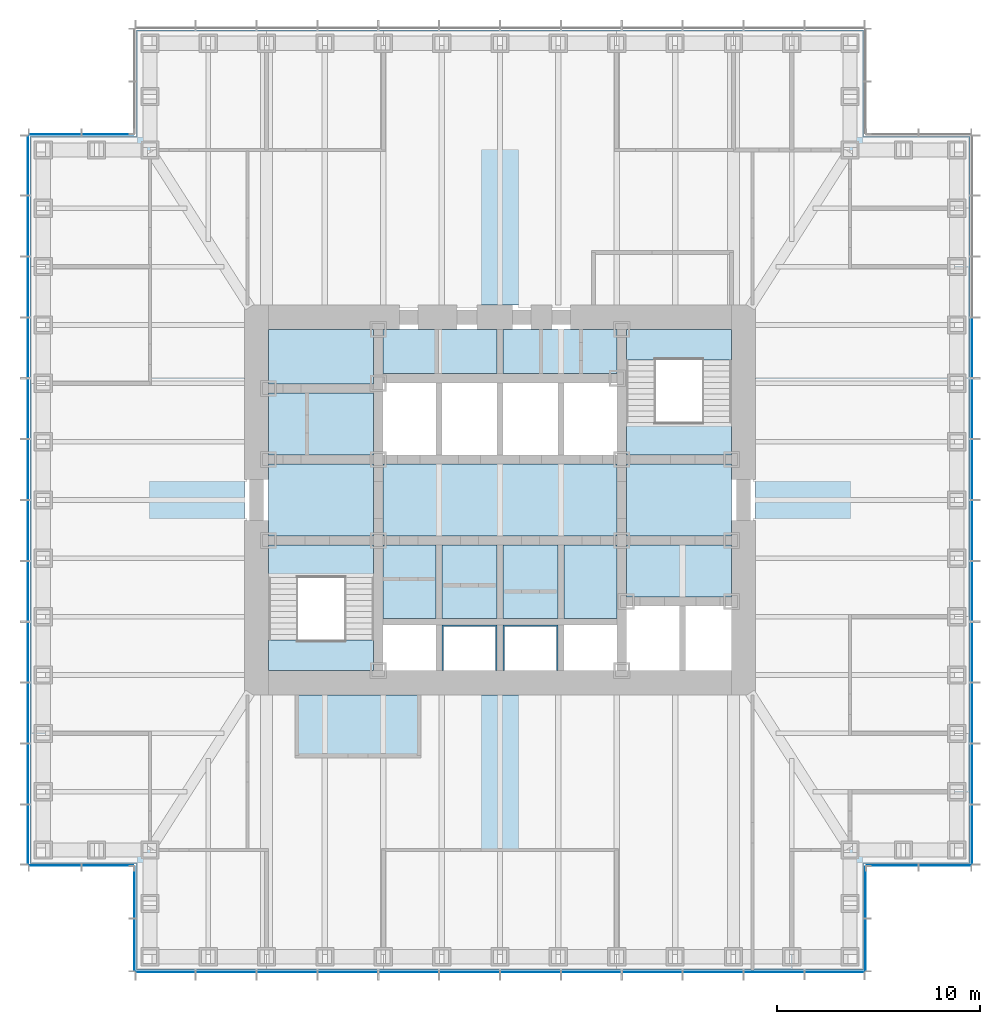
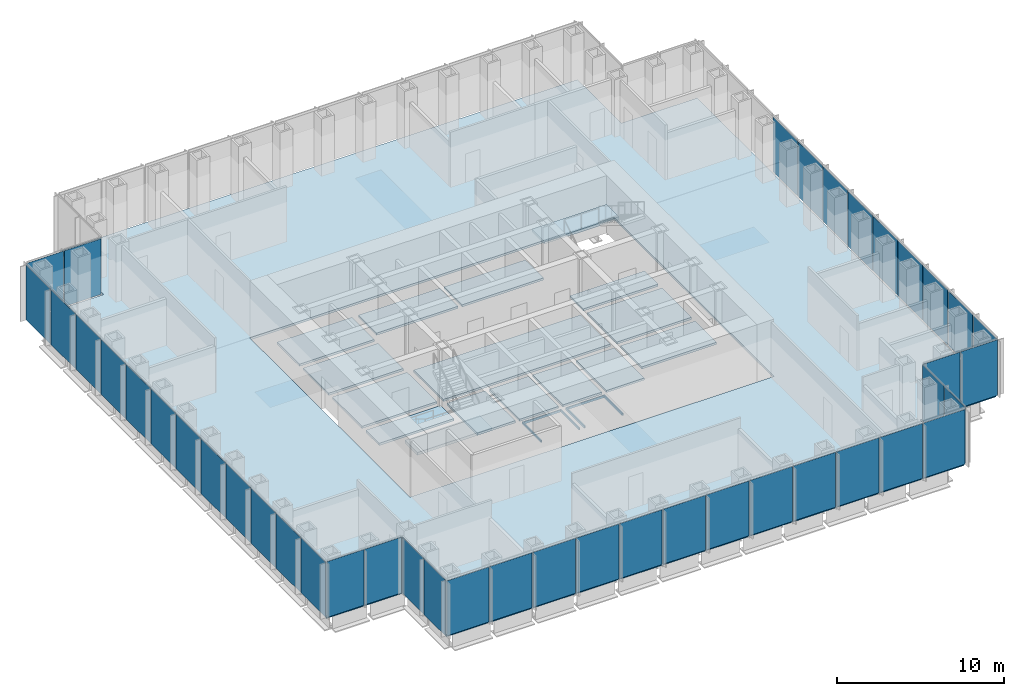
# One storey, part 7 of 17: 43 plates, 19 slabs, 10 elements without a shape of their own.
"""IFC4 building model written with IfcOpenShell, lengths in metres."""

from ifc_helpers import new_model, si_unit, direction, frame, origin, origin_2d, place, context, subcontext, project, spatial, polyline, rectangle, outline, extrude, material, layer, layer_set, type_object, element, aggregate, save


model = new_model("IFC4")

# Units and contexts
model_context = context("Model", 3, precision=1e-05, world=origin(), true_north=direction((0.0, 1.0)))
body_context = subcontext(model_context, "Body", "Model", "MODEL_VIEW")
ifc_project = project(units=[si_unit("LENGTHUNIT", "METRE"), si_unit("AREAUNIT", "SQUARE_METRE"), si_unit("VOLUMEUNIT", "CUBIC_METRE"), si_unit("PLANEANGLEUNIT", "RADIAN"), si_unit("MASSUNIT", "GRAM", prefix="KILO")], contexts=[model_context])

# Site, building, storey
site_placement = place(None, origin())
site = spatial("IfcSite", under=ifc_project, at=site_placement, CompositionType="ELEMENT")
building_placement = place(site_placement, origin())
building = spatial("IfcBuilding", under=site, at=building_placement, Name="Daluyong Arena Tower", CompositionType="ELEMENT")
storey_placement = place(building_placement, frame((0.0, 0.0, 150.10009765625)))
storey = spatial("IfcBuildingStorey", under=building, at=storey_placement, Name="L33", CompositionType="ELEMENT", Elevation=150.10009765625)

# Curtain wall, plates
ifc_material_1 = material(Name="Bronze anodised aluminium and glass", Category="aluminium")
curtain_wall_type_1 = type_object("IfcCurtainWallType", Name="Curtain wall CW2", PredefinedType="USERDEFINED", material=ifc_material_1)
curtain_wall_1_placement = place(storey_placement, origin())
curtain_wall_1 = element("IfcCurtainWall", 1, at=curtain_wall_1_placement, inside=storey, type_object=curtain_wall_type_1, Name="curtain wall L33 S", ObjectType="UNITISED CURTAIN WALL", PredefinedType="USERDEFINED")
ifc_material_2 = material(Name="Tinted double glazed unit", Category="glass")
ifc_layer_1 = layer(ifc_material_2, 0.031982421875)
ifc_layer_set_1 = layer_set([ifc_layer_1], Name="Tinted double glazed unit")
plate_type_1 = type_object("IfcPlateType", Name="CW2 panel 32", PredefinedType="CURTAIN_PANEL", material=ifc_layer_set_1)
plate_1_placement = place(storey_placement, frame((39.52001953125, 56.75, 0.0), z_axis=(0.0, 0.0, 1.0), x_axis=(1.0, 0.0, 0.0)))
plate_1 = element("IfcPlate", 2, at=plate_1_placement, type_object=plate_type_1, Name="curtain wall L33 S panel 1", PredefinedType="CURTAIN_PANEL", context=body_context, shape_type="SweptSolid", body=[
    extrude(rectangle(XDim=2.8798828125, YDim=0.031982421875, at=origin_2d()), origin(), (0.0, 0.0, 1.0), 4.02001953125),
])
plate_2_placement = place(storey_placement, frame((42.5, 56.75, 0.0), z_axis=(0.0, 0.0, 1.0), x_axis=(1.0, 0.0, 0.0)))
plate_2 = element("IfcPlate", 3, at=plate_2_placement, type_object=plate_type_1, Name="curtain wall L33 S panel 2", PredefinedType="CURTAIN_PANEL", context=body_context, shape_type="SweptSolid", body=[
    extrude(rectangle(XDim=2.919921875, YDim=0.031982421875, at=origin_2d()), origin(), (0.0, 0.0, 1.0), 4.02001953125),
])
plate_3_placement = place(storey_placement, frame((45.5, 56.75, 0.0), z_axis=(0.0, 0.0, 1.0), x_axis=(1.0, 0.0, 0.0)))
plate_3 = element("IfcPlate", 4, at=plate_3_placement, type_object=plate_type_1, Name="curtain wall L33 S panel 3", PredefinedType="CURTAIN_PANEL", context=body_context, shape_type="SweptSolid", body=[
    extrude(rectangle(XDim=2.919921875, YDim=0.031982421875, at=origin_2d()), origin(), (0.0, 0.0, 1.0), 4.02001953125),
])
plate_4_placement = place(storey_placement, frame((48.5, 56.75, 0.0), z_axis=(0.0, 0.0, 1.0), x_axis=(1.0, 0.0, 0.0)))
plate_4 = element("IfcPlate", 5, at=plate_4_placement, type_object=plate_type_1, Name="curtain wall L33 S panel 4", PredefinedType="CURTAIN_PANEL", context=body_context, shape_type="SweptSolid", body=[
    extrude(rectangle(XDim=2.919921875, YDim=0.031982421875, at=origin_2d()), origin(), (0.0, 0.0, 1.0), 4.02001953125),
])
plate_5_placement = place(storey_placement, frame((51.5, 56.75, 0.0), z_axis=(0.0, 0.0, 1.0), x_axis=(1.0, 0.0, 0.0)))
plate_5 = element("IfcPlate", 6, at=plate_5_placement, type_object=plate_type_1, Name="curtain wall L33 S panel 5", PredefinedType="CURTAIN_PANEL", context=body_context, shape_type="SweptSolid", body=[
    extrude(rectangle(XDim=2.919921875, YDim=0.031982421875, at=origin_2d()), origin(), (0.0, 0.0, 1.0), 4.02001953125),
])
plate_6_placement = place(storey_placement, frame((54.5, 56.75, 0.0), z_axis=(0.0, 0.0, 1.0), x_axis=(1.0, 0.0, 0.0)))
plate_6 = element("IfcPlate", 7, at=plate_6_placement, type_object=plate_type_1, Name="curtain wall L33 S panel 6", PredefinedType="CURTAIN_PANEL", context=body_context, shape_type="SweptSolid", body=[
    extrude(rectangle(XDim=2.919921875, YDim=0.031982421875, at=origin_2d()), origin(), (0.0, 0.0, 1.0), 4.02001953125),
])
plate_7_placement = place(storey_placement, frame((57.5, 56.75, 0.0), z_axis=(0.0, 0.0, 1.0), x_axis=(1.0, 0.0, 0.0)))
plate_7 = element("IfcPlate", 8, at=plate_7_placement, type_object=plate_type_1, Name="curtain wall L33 S panel 7", PredefinedType="CURTAIN_PANEL", context=body_context, shape_type="SweptSolid", body=[
    extrude(rectangle(XDim=2.919921875, YDim=0.031982421875, at=origin_2d()), origin(), (0.0, 0.0, 1.0), 4.02001953125),
])
plate_8_placement = place(storey_placement, frame((60.5, 56.75, 0.0), z_axis=(0.0, 0.0, 1.0), x_axis=(1.0, 0.0, 0.0)))
plate_8 = element("IfcPlate", 9, at=plate_8_placement, type_object=plate_type_1, Name="curtain wall L33 S panel 8", PredefinedType="CURTAIN_PANEL", context=body_context, shape_type="SweptSolid", body=[
    extrude(rectangle(XDim=2.919921875, YDim=0.031982421875, at=origin_2d()), origin(), (0.0, 0.0, 1.0), 4.02001953125),
])
plate_9_placement = place(storey_placement, frame((63.5, 56.75, 0.0), z_axis=(0.0, 0.0, 1.0), x_axis=(1.0, 0.0, 0.0)))
plate_9 = element("IfcPlate", 10, at=plate_9_placement, type_object=plate_type_1, Name="curtain wall L33 S panel 9", PredefinedType="CURTAIN_PANEL", context=body_context, shape_type="SweptSolid", body=[
    extrude(rectangle(XDim=2.919921875, YDim=0.031982421875, at=origin_2d()), origin(), (0.0, 0.0, 1.0), 4.02001953125),
])
plate_10_placement = place(storey_placement, frame((66.5, 56.75, 0.0), z_axis=(0.0, 0.0, 1.0), x_axis=(1.0, 0.0, 0.0)))
plate_10 = element("IfcPlate", 11, at=plate_10_placement, type_object=plate_type_1, Name="curtain wall L33 S panel 10", PredefinedType="CURTAIN_PANEL", context=body_context, shape_type="SweptSolid", body=[
    extrude(rectangle(XDim=2.919921875, YDim=0.031982421875, at=origin_2d()), origin(), (0.0, 0.0, 1.0), 4.02001953125),
])
plate_11_placement = place(storey_placement, frame((69.5, 56.75, 0.0), z_axis=(0.0, 0.0, 1.0), x_axis=(1.0, 0.0, 0.0)))
plate_11 = element("IfcPlate", 12, at=plate_11_placement, type_object=plate_type_1, Name="curtain wall L33 S panel 11", PredefinedType="CURTAIN_PANEL", context=body_context, shape_type="SweptSolid", body=[
    extrude(rectangle(XDim=2.919921875, YDim=0.031982421875, at=origin_2d()), origin(), (0.0, 0.0, 1.0), 4.02001953125),
])
plate_12_placement = place(storey_placement, frame((72.47998046875, 56.75, 0.0), z_axis=(0.0, 0.0, 1.0), x_axis=(1.0, 0.0, 0.0)))
plate_12 = element("IfcPlate", 13, at=plate_12_placement, type_object=plate_type_1, Name="curtain wall L33 S panel 12", PredefinedType="CURTAIN_PANEL", context=body_context, shape_type="SweptSolid", body=[
    extrude(rectangle(XDim=2.8798828125, YDim=0.031982421875, at=origin_2d()), origin(), (0.0, 0.0, 1.0), 4.02001953125),
])
aggregate(curtain_wall_1, [plate_1, plate_2, plate_3, plate_4, plate_5, plate_6, plate_7, plate_8, plate_9, plate_10, plate_11, plate_12])

curtain_wall_2_placement = place(storey_placement, origin())
curtain_wall_2 = element("IfcCurtainWall", 14, at=curtain_wall_2_placement, inside=storey, type_object=curtain_wall_type_1, Name="curtain wall L33 E", ObjectType="UNITISED CURTAIN WALL", PredefinedType="USERDEFINED")
plate_13_placement = place(storey_placement, frame((79.25, 63.52001953125, 0.0), z_axis=(0.0, 0.0, 1.0), x_axis=(0.0, 1.0, 0.0)))
plate_13 = element("IfcPlate", 15, at=plate_13_placement, type_object=plate_type_1, Name="curtain wall L33 E panel 1", PredefinedType="CURTAIN_PANEL", context=body_context, shape_type="SweptSolid", body=[
    extrude(rectangle(XDim=2.8798828125, YDim=0.031982421875, at=origin_2d()), origin(), (0.0, 0.0, 1.0), 4.02001953125),
])
plate_14_placement = place(storey_placement, frame((79.25, 66.5, 0.0), z_axis=(0.0, 0.0, 1.0), x_axis=(0.0, 1.0, 0.0)))
plate_14 = element("IfcPlate", 16, at=plate_14_placement, type_object=plate_type_1, Name="curtain wall L33 E panel 2", PredefinedType="CURTAIN_PANEL", context=body_context, shape_type="SweptSolid", body=[
    extrude(rectangle(XDim=2.919921875, YDim=0.031982421875, at=origin_2d()), origin(), (0.0, 0.0, 1.0), 4.02001953125),
])
plate_15_placement = place(storey_placement, frame((79.25, 69.5, 0.0), z_axis=(0.0, 0.0, 1.0), x_axis=(0.0, 1.0, 0.0)))
plate_15 = element("IfcPlate", 17, at=plate_15_placement, type_object=plate_type_1, Name="curtain wall L33 E panel 3", PredefinedType="CURTAIN_PANEL", context=body_context, shape_type="SweptSolid", body=[
    extrude(rectangle(XDim=2.919921875, YDim=0.031982421875, at=origin_2d()), origin(), (0.0, 0.0, 1.0), 4.02001953125),
])
plate_16_placement = place(storey_placement, frame((79.25, 72.5, 0.0), z_axis=(0.0, 0.0, 1.0), x_axis=(0.0, 1.0, 0.0)))
plate_16 = element("IfcPlate", 18, at=plate_16_placement, type_object=plate_type_1, Name="curtain wall L33 E panel 4", PredefinedType="CURTAIN_PANEL", context=body_context, shape_type="SweptSolid", body=[
    extrude(rectangle(XDim=2.919921875, YDim=0.031982421875, at=origin_2d()), origin(), (0.0, 0.0, 1.0), 4.02001953125),
])
plate_17_placement = place(storey_placement, frame((79.25, 75.5, 0.0), z_axis=(0.0, 0.0, 1.0), x_axis=(0.0, 1.0, 0.0)))
plate_17 = element("IfcPlate", 19, at=plate_17_placement, type_object=plate_type_1, Name="curtain wall L33 E panel 5", PredefinedType="CURTAIN_PANEL", context=body_context, shape_type="SweptSolid", body=[
    extrude(rectangle(XDim=2.919921875, YDim=0.031982421875, at=origin_2d()), origin(), (0.0, 0.0, 1.0), 4.02001953125),
])
plate_18_placement = place(storey_placement, frame((79.25, 78.5, 0.0), z_axis=(0.0, 0.0, 1.0), x_axis=(0.0, 1.0, 0.0)))
plate_18 = element("IfcPlate", 20, at=plate_18_placement, type_object=plate_type_1, Name="curtain wall L33 E panel 6", PredefinedType="CURTAIN_PANEL", context=body_context, shape_type="SweptSolid", body=[
    extrude(rectangle(XDim=2.919921875, YDim=0.031982421875, at=origin_2d()), origin(), (0.0, 0.0, 1.0), 4.02001953125),
])
plate_19_placement = place(storey_placement, frame((79.25, 81.5, 0.0), z_axis=(0.0, 0.0, 1.0), x_axis=(0.0, 1.0, 0.0)))
plate_19 = element("IfcPlate", 21, at=plate_19_placement, type_object=plate_type_1, Name="curtain wall L33 E panel 7", PredefinedType="CURTAIN_PANEL", context=body_context, shape_type="SweptSolid", body=[
    extrude(rectangle(XDim=2.919921875, YDim=0.031982421875, at=origin_2d()), origin(), (0.0, 0.0, 1.0), 4.02001953125),
])
plate_20_placement = place(storey_placement, frame((79.25, 84.5, 0.0), z_axis=(0.0, 0.0, 1.0), x_axis=(0.0, 1.0, 0.0)))
plate_20 = element("IfcPlate", 22, at=plate_20_placement, type_object=plate_type_1, Name="curtain wall L33 E panel 8", PredefinedType="CURTAIN_PANEL", context=body_context, shape_type="SweptSolid", body=[
    extrude(rectangle(XDim=2.919921875, YDim=0.031982421875, at=origin_2d()), origin(), (0.0, 0.0, 1.0), 4.02001953125),
])
plate_21_placement = place(storey_placement, frame((79.25, 87.5, 0.0), z_axis=(0.0, 0.0, 1.0), x_axis=(0.0, 1.0, 0.0)))
plate_21 = element("IfcPlate", 23, at=plate_21_placement, type_object=plate_type_1, Name="curtain wall L33 E panel 9", PredefinedType="CURTAIN_PANEL", context=body_context, shape_type="SweptSolid", body=[
    extrude(rectangle(XDim=2.919921875, YDim=0.031982421875, at=origin_2d()), origin(), (0.0, 0.0, 1.0), 4.02001953125),
])
aggregate(curtain_wall_2, [plate_13, plate_14, plate_15, plate_16, plate_17, plate_18, plate_19, plate_20, plate_21])

curtain_wall_3_placement = place(storey_placement, origin())
curtain_wall_3 = element("IfcCurtainWall", 24, at=curtain_wall_3_placement, inside=storey, type_object=curtain_wall_type_1, Name="curtain wall L33 W", ObjectType="UNITISED CURTAIN WALL", PredefinedType="USERDEFINED")
plate_22_placement = place(storey_placement, frame((32.75, 96.47998046875, 0.0), z_axis=(0.0, 0.0, 1.0), x_axis=(0.0, -1.0, 0.0)))
plate_22 = element("IfcPlate", 25, at=plate_22_placement, type_object=plate_type_1, Name="curtain wall L33 W panel 1", PredefinedType="CURTAIN_PANEL", context=body_context, shape_type="SweptSolid", body=[
    extrude(rectangle(XDim=2.8798828125, YDim=0.031982421875, at=origin_2d()), origin(), (0.0, 0.0, 1.0), 4.02001953125),
])
plate_23_placement = place(storey_placement, frame((32.75, 93.5, 0.0), z_axis=(0.0, 0.0, 1.0), x_axis=(0.0, -1.0, 0.0)))
plate_23 = element("IfcPlate", 26, at=plate_23_placement, type_object=plate_type_1, Name="curtain wall L33 W panel 2", PredefinedType="CURTAIN_PANEL", context=body_context, shape_type="SweptSolid", body=[
    extrude(rectangle(XDim=2.919921875, YDim=0.031982421875, at=origin_2d()), origin(), (0.0, 0.0, 1.0), 4.02001953125),
])
plate_24_placement = place(storey_placement, frame((32.75, 90.5, 0.0), z_axis=(0.0, 0.0, 1.0), x_axis=(0.0, -1.0, 0.0)))
plate_24 = element("IfcPlate", 27, at=plate_24_placement, type_object=plate_type_1, Name="curtain wall L33 W panel 3", PredefinedType="CURTAIN_PANEL", context=body_context, shape_type="SweptSolid", body=[
    extrude(rectangle(XDim=2.919921875, YDim=0.031982421875, at=origin_2d()), origin(), (0.0, 0.0, 1.0), 4.02001953125),
])
plate_25_placement = place(storey_placement, frame((32.75, 87.5, 0.0), z_axis=(0.0, 0.0, 1.0), x_axis=(0.0, -1.0, 0.0)))
plate_25 = element("IfcPlate", 28, at=plate_25_placement, type_object=plate_type_1, Name="curtain wall L33 W panel 4", PredefinedType="CURTAIN_PANEL", context=body_context, shape_type="SweptSolid", body=[
    extrude(rectangle(XDim=2.919921875, YDim=0.031982421875, at=origin_2d()), origin(), (0.0, 0.0, 1.0), 4.02001953125),
])
plate_26_placement = place(storey_placement, frame((32.75, 84.5, 0.0), z_axis=(0.0, 0.0, 1.0), x_axis=(0.0, -1.0, 0.0)))
plate_26 = element("IfcPlate", 29, at=plate_26_placement, type_object=plate_type_1, Name="curtain wall L33 W panel 5", PredefinedType="CURTAIN_PANEL", context=body_context, shape_type="SweptSolid", body=[
    extrude(rectangle(XDim=2.919921875, YDim=0.031982421875, at=origin_2d()), origin(), (0.0, 0.0, 1.0), 4.02001953125),
])
plate_27_placement = place(storey_placement, frame((32.75, 81.5, 0.0), z_axis=(0.0, 0.0, 1.0), x_axis=(0.0, -1.0, 0.0)))
plate_27 = element("IfcPlate", 30, at=plate_27_placement, type_object=plate_type_1, Name="curtain wall L33 W panel 6", PredefinedType="CURTAIN_PANEL", context=body_context, shape_type="SweptSolid", body=[
    extrude(rectangle(XDim=2.919921875, YDim=0.031982421875, at=origin_2d()), origin(), (0.0, 0.0, 1.0), 4.02001953125),
])
plate_28_placement = place(storey_placement, frame((32.75, 78.5, 0.0), z_axis=(0.0, 0.0, 1.0), x_axis=(0.0, -1.0, 0.0)))
plate_28 = element("IfcPlate", 31, at=plate_28_placement, type_object=plate_type_1, Name="curtain wall L33 W panel 7", PredefinedType="CURTAIN_PANEL", context=body_context, shape_type="SweptSolid", body=[
    extrude(rectangle(XDim=2.919921875, YDim=0.031982421875, at=origin_2d()), origin(), (0.0, 0.0, 1.0), 4.02001953125),
])
plate_29_placement = place(storey_placement, frame((32.75, 75.5, 0.0), z_axis=(0.0, 0.0, 1.0), x_axis=(0.0, -1.0, 0.0)))
plate_29 = element("IfcPlate", 32, at=plate_29_placement, type_object=plate_type_1, Name="curtain wall L33 W panel 8", PredefinedType="CURTAIN_PANEL", context=body_context, shape_type="SweptSolid", body=[
    extrude(rectangle(XDim=2.919921875, YDim=0.031982421875, at=origin_2d()), origin(), (0.0, 0.0, 1.0), 4.02001953125),
])
plate_30_placement = place(storey_placement, frame((32.75, 72.5, 0.0), z_axis=(0.0, 0.0, 1.0), x_axis=(0.0, -1.0, 0.0)))
plate_30 = element("IfcPlate", 33, at=plate_30_placement, type_object=plate_type_1, Name="curtain wall L33 W panel 9", PredefinedType="CURTAIN_PANEL", context=body_context, shape_type="SweptSolid", body=[
    extrude(rectangle(XDim=2.919921875, YDim=0.031982421875, at=origin_2d()), origin(), (0.0, 0.0, 1.0), 4.02001953125),
])
plate_31_placement = place(storey_placement, frame((32.75, 69.5, 0.0), z_axis=(0.0, 0.0, 1.0), x_axis=(0.0, -1.0, 0.0)))
plate_31 = element("IfcPlate", 34, at=plate_31_placement, type_object=plate_type_1, Name="curtain wall L33 W panel 10", PredefinedType="CURTAIN_PANEL", context=body_context, shape_type="SweptSolid", body=[
    extrude(rectangle(XDim=2.919921875, YDim=0.031982421875, at=origin_2d()), origin(), (0.0, 0.0, 1.0), 4.02001953125),
])
plate_32_placement = place(storey_placement, frame((32.75, 66.5, 0.0), z_axis=(0.0, 0.0, 1.0), x_axis=(0.0, -1.0, 0.0)))
plate_32 = element("IfcPlate", 35, at=plate_32_placement, type_object=plate_type_1, Name="curtain wall L33 W panel 11", PredefinedType="CURTAIN_PANEL", context=body_context, shape_type="SweptSolid", body=[
    extrude(rectangle(XDim=2.919921875, YDim=0.031982421875, at=origin_2d()), origin(), (0.0, 0.0, 1.0), 4.02001953125),
])
plate_33_placement = place(storey_placement, frame((32.75, 63.52001953125, 0.0), z_axis=(0.0, 0.0, 1.0), x_axis=(0.0, -1.0, 0.0)))
plate_33 = element("IfcPlate", 36, at=plate_33_placement, type_object=plate_type_1, Name="curtain wall L33 W panel 12", PredefinedType="CURTAIN_PANEL", context=body_context, shape_type="SweptSolid", body=[
    extrude(rectangle(XDim=2.8798828125, YDim=0.031982421875, at=origin_2d()), origin(), (0.0, 0.0, 1.0), 4.02001953125),
])
aggregate(curtain_wall_3, [plate_22, plate_23, plate_24, plate_25, plate_26, plate_27, plate_28, plate_29, plate_30, plate_31, plate_32, plate_33])

ifc_material_3 = material(Name="Bronze anodised aluminium and glass", Category="aluminium")
curtain_wall_type_2 = type_object("IfcCurtainWallType", Name="Curtain wall CW7", PredefinedType="USERDEFINED", material=ifc_material_3)
curtain_wall_4_placement = place(storey_placement, origin())
curtain_wall_4 = element("IfcCurtainWall", 37, at=curtain_wall_4_placement, inside=storey, type_object=curtain_wall_type_2, Name="curtain wall L33 SE-E", ObjectType="UNITISED CURTAIN WALL", PredefinedType="USERDEFINED")
ifc_material_4 = material(Name="Tinted double glazed unit", Category="glass")
ifc_layer_2 = layer(ifc_material_4, 0.028076171875)
ifc_layer_set_2 = layer_set([ifc_layer_2], Name="Tinted double glazed unit")
plate_type_2 = type_object("IfcPlateType", Name="CW7 panel 28", PredefinedType="CURTAIN_PANEL", material=ifc_layer_set_2)
plate_34_placement = place(storey_placement, frame((74.0, 58.077392578125, -0.000244140625), z_axis=(0.0, 0.0, 1.0), x_axis=(0.0, 1.0, 0.0)))
plate_34 = element("IfcPlate", 38, at=plate_34_placement, type_object=plate_type_2, Name="curtain wall L33 SE-E panel 1", PredefinedType="CURTAIN_PANEL", context=body_context, shape_type="SweptSolid", body=[
    extrude(rectangle(XDim=2.534912109375, YDim=0.028076171875, at=origin_2d()), origin(), (0.0, 0.0, 1.0), 4.080078125),
])
plate_35_placement = place(storey_placement, frame((74.0, 60.672607421875, -0.000244140625), z_axis=(0.0, 0.0, 1.0), x_axis=(0.0, 1.0, 0.0)))
plate_35 = element("IfcPlate", 39, at=plate_35_placement, type_object=plate_type_2, Name="curtain wall L33 SE-E panel 2", PredefinedType="CURTAIN_PANEL", context=body_context, shape_type="SweptSolid", body=[
    extrude(rectangle(XDim=2.534912109375, YDim=0.028076171875, at=origin_2d()), origin(), (0.0, 0.0, 1.0), 4.080078125),
])
aggregate(curtain_wall_4, [plate_34, plate_35])

curtain_wall_5_placement = place(storey_placement, origin())
curtain_wall_5 = element("IfcCurtainWall", 40, at=curtain_wall_5_placement, inside=storey, type_object=curtain_wall_type_2, Name="curtain wall L33 SE-S", ObjectType="UNITISED CURTAIN WALL", PredefinedType="USERDEFINED")
plate_36_placement = place(storey_placement, frame((75.327392578125, 62.0, -0.000244140625), z_axis=(0.0, 0.0, 1.0), x_axis=(1.0, 0.0, 0.0)))
plate_36 = element("IfcPlate", 41, at=plate_36_placement, type_object=plate_type_2, Name="curtain wall L33 SE-S panel 1", PredefinedType="CURTAIN_PANEL", context=body_context, shape_type="SweptSolid", body=[
    extrude(rectangle(XDim=2.534912109375, YDim=0.028076171875, at=origin_2d()), origin(), (0.0, 0.0, 1.0), 4.080078125),
])
plate_37_placement = place(storey_placement, frame((77.922607421875, 62.0, -0.000244140625), z_axis=(0.0, 0.0, 1.0), x_axis=(1.0, 0.0, 0.0)))
plate_37 = element("IfcPlate", 42, at=plate_37_placement, type_object=plate_type_2, Name="curtain wall L33 SE-S panel 2", PredefinedType="CURTAIN_PANEL", context=body_context, shape_type="SweptSolid", body=[
    extrude(rectangle(XDim=2.534912109375, YDim=0.028076171875, at=origin_2d()), origin(), (0.0, 0.0, 1.0), 4.080078125),
])
aggregate(curtain_wall_5, [plate_36, plate_37])

curtain_wall_6_placement = place(storey_placement, origin())
curtain_wall_6 = element("IfcCurtainWall", 43, at=curtain_wall_6_placement, inside=storey, type_object=curtain_wall_type_2, Name="curtain wall L33 NW-N", ObjectType="UNITISED CURTAIN WALL", PredefinedType="USERDEFINED")
plate_38_placement = place(storey_placement, frame((36.672607421875, 98.0, -0.000244140625), z_axis=(0.0, 0.0, 1.0), x_axis=(-1.0, 0.0, 0.0)))
plate_38 = element("IfcPlate", 44, at=plate_38_placement, type_object=plate_type_2, Name="curtain wall L33 NW-N panel 1", PredefinedType="CURTAIN_PANEL", context=body_context, shape_type="SweptSolid", body=[
    extrude(rectangle(XDim=2.534912109375, YDim=0.028076171875, at=origin_2d()), origin(), (0.0, 0.0, 1.0), 4.080078125),
])
plate_39_placement = place(storey_placement, frame((34.077392578125, 98.0, -0.000244140625), z_axis=(0.0, 0.0, 1.0), x_axis=(-1.0, 0.0, 0.0)))
plate_39 = element("IfcPlate", 45, at=plate_39_placement, type_object=plate_type_2, Name="curtain wall L33 NW-N panel 2", PredefinedType="CURTAIN_PANEL", context=body_context, shape_type="SweptSolid", body=[
    extrude(rectangle(XDim=2.534912109375, YDim=0.028076171875, at=origin_2d()), origin(), (0.0, 0.0, 1.0), 4.080078125),
])
aggregate(curtain_wall_6, [plate_38, plate_39])

curtain_wall_7_placement = place(storey_placement, origin())
curtain_wall_7 = element("IfcCurtainWall", 46, at=curtain_wall_7_placement, inside=storey, type_object=curtain_wall_type_2, Name="curtain wall L33 SW-S", ObjectType="UNITISED CURTAIN WALL", PredefinedType="USERDEFINED")
plate_40_placement = place(storey_placement, frame((34.077392578125, 62.0, -0.000244140625), z_axis=(0.0, 0.0, 1.0), x_axis=(1.0, 0.0, 0.0)))
plate_40 = element("IfcPlate", 47, at=plate_40_placement, type_object=plate_type_2, Name="curtain wall L33 SW-S panel 1", PredefinedType="CURTAIN_PANEL", context=body_context, shape_type="SweptSolid", body=[
    extrude(rectangle(XDim=2.534912109375, YDim=0.028076171875, at=origin_2d()), origin(), (0.0, 0.0, 1.0), 4.080078125),
])
plate_41_placement = place(storey_placement, frame((36.672607421875, 62.0, -0.000244140625), z_axis=(0.0, 0.0, 1.0), x_axis=(1.0, 0.0, 0.0)))
plate_41 = element("IfcPlate", 48, at=plate_41_placement, type_object=plate_type_2, Name="curtain wall L33 SW-S panel 2", PredefinedType="CURTAIN_PANEL", context=body_context, shape_type="SweptSolid", body=[
    extrude(rectangle(XDim=2.534912109375, YDim=0.028076171875, at=origin_2d()), origin(), (0.0, 0.0, 1.0), 4.080078125),
])
aggregate(curtain_wall_7, [plate_40, plate_41])

curtain_wall_8_placement = place(storey_placement, origin())
curtain_wall_8 = element("IfcCurtainWall", 49, at=curtain_wall_8_placement, inside=storey, type_object=curtain_wall_type_2, Name="curtain wall L33 SW-W", ObjectType="UNITISED CURTAIN WALL", PredefinedType="USERDEFINED")
plate_42_placement = place(storey_placement, frame((38.0, 60.672607421875, -0.000244140625), z_axis=(0.0, 0.0, 1.0), x_axis=(0.0, -1.0, 0.0)))
plate_42 = element("IfcPlate", 50, at=plate_42_placement, type_object=plate_type_2, Name="curtain wall L33 SW-W panel 1", PredefinedType="CURTAIN_PANEL", context=body_context, shape_type="SweptSolid", body=[
    extrude(rectangle(XDim=2.534912109375, YDim=0.028076171875, at=origin_2d()), origin(), (0.0, 0.0, 1.0), 4.080078125),
])
plate_43_placement = place(storey_placement, frame((38.0, 58.077392578125, -0.000244140625), z_axis=(0.0, 0.0, 1.0), x_axis=(0.0, -1.0, 0.0)))
plate_43 = element("IfcPlate", 51, at=plate_43_placement, type_object=plate_type_2, Name="curtain wall L33 SW-W panel 2", PredefinedType="CURTAIN_PANEL", context=body_context, shape_type="SweptSolid", body=[
    extrude(rectangle(XDim=2.534912109375, YDim=0.028076171875, at=origin_2d()), origin(), (0.0, 0.0, 1.0), 4.080078125),
])
aggregate(curtain_wall_8, [plate_42, plate_43])

# Stair, slab
ifc_material_5 = material(Name="Concrete fc' 35 MPa", Category="concrete")
stair_type = type_object("IfcStairType", Name="Core exit stair", PredefinedType="HALF_TURN_STAIR", material=ifc_material_5)
stair_1_placement = place(storey_placement, origin())
stair_1 = element("IfcStair", 52, at=stair_1_placement, inside=storey, type_object=stair_type, Name="exit stair A L33", PredefinedType="HALF_TURN_STAIR")
ifc_material_6 = material(Name="Concrete fc' 35 MPa", Category="concrete")
ifc_layer_3 = layer(ifc_material_6, 0.199951171875)
ifc_layer_set_3 = layer_set([ifc_layer_3], Name="Concrete fc' 35 MPa")
slab_type_1 = type_object("IfcSlabType", Name="Stair landing 200", PredefinedType="LANDING", material=ifc_layer_set_3)
slab_1_placement = place(storey_placement, frame((0.0, 0.0, 1.89990234375)))
slab_1 = element("IfcSlab", 53, at=slab_1_placement, type_object=slab_type_1, Name="STA landing 1", PredefinedType="LANDING", context=body_context, shape_type="SweptSolid", body=[
    extrude(outline(polyline([(44.60009765625, 71.60009765625), (49.77490234375, 71.60009765625), (49.77490234375, 73.094970703125), (44.60009765625, 73.094970703125), (44.60009765625, 71.60009765625)])), origin(), (0.0, 0.0, 1.0), 0.199951171875),
])
aggregate(stair_1, [slab_1])

stair_2_placement = place(storey_placement, origin())
stair_2 = element("IfcStair", 54, at=stair_2_placement, inside=storey, type_object=stair_type, Name="exit stair B L33", PredefinedType="HALF_TURN_STAIR")
slab_2_placement = place(storey_placement, frame((0.0, 0.0, 1.89990234375)))
slab_2 = element("IfcSlab", 55, at=slab_2_placement, type_object=slab_type_1, Name="STB landing 1", PredefinedType="LANDING", context=body_context, shape_type="SweptSolid", body=[
    extrude(outline(polyline([(62.22509765625, 86.905029296875), (67.39990234375, 86.905029296875), (67.39990234375, 88.39990234375), (62.22509765625, 88.39990234375), (62.22509765625, 86.905029296875)])), origin(), (0.0, 0.0, 1.0), 0.199951171875),
])
aggregate(stair_2, [slab_2])

# Slabs
ifc_material_7 = material(Name="Concrete fc' 35 MPa", Category="concrete")
ifc_layer_4 = layer(ifc_material_7, 0.159912109375)
ifc_layer_set_4 = layer_set([ifc_layer_4], Name="Concrete fc' 35 MPa")
slab_type_2 = type_object("IfcSlabType", Name="Tower floor slab 160", PredefinedType="FLOOR", material=ifc_layer_set_4)
slab_3_placement = place(storey_placement, frame((0.0, 0.0, -0.16015625)))
element("IfcSlab", 56, at=slab_3_placement, inside=storey, type_object=slab_type_2, Name="floor L33 part 1", PredefinedType="FLOOR", context=body_context, shape_type="SweptSolid", body=[
    extrude(outline(polyline([(49.77490234375, 76.175048828125), (49.77490234375, 77.77490234375), (44.60009765625, 77.77490234375), (44.60009765625, 76.175048828125), (49.77490234375, 76.175048828125)])), origin(), (0.0, 0.0, 1.0), 0.16015625),
])
slab_4_placement = place(storey_placement, frame((0.0, 0.0, -0.16015625)))
element("IfcSlab", 57, at=slab_4_placement, inside=storey, type_object=slab_type_2, Name="floor L33 part 2", PredefinedType="FLOOR", context=body_context, shape_type="SweptSolid", body=[
    extrude(outline(polyline([(44.60009765625, 78.22509765625), (49.77490234375, 78.22509765625), (49.77490234375, 81.77490234375), (44.60009765625, 81.77490234375), (44.60009765625, 78.22509765625)])), origin(), (0.0, 0.0, 1.0), 0.16015625),
])
slab_5_placement = place(storey_placement, frame((0.0, 0.0, -0.16015625)))
element("IfcSlab", 58, at=slab_5_placement, inside=storey, type_object=slab_type_2, Name="floor L33 part 3", PredefinedType="FLOOR", context=body_context, shape_type="SweptSolid", body=[
    extrude(outline(polyline([(44.60009765625, 82.22509765625), (49.77490234375, 82.22509765625), (49.77490234375, 85.27490234375), (44.60009765625, 85.27490234375), (44.60009765625, 82.22509765625)])), origin(), (0.0, 0.0, 1.0), 0.16015625),
])
slab_6_placement = place(storey_placement, frame((0.0, 0.0, -0.16015625)))
element("IfcSlab", 59, at=slab_6_placement, inside=storey, type_object=slab_type_2, Name="floor L33 part 4", PredefinedType="FLOOR", context=body_context, shape_type="SweptSolid", body=[
    extrude(outline(polyline([(49.77490234375, 88.39990234375), (44.60009765625, 88.39990234375), (44.60009765625, 85.72509765625), (49.77490234375, 85.72509765625), (49.77490234375, 88.39990234375)])), origin(), (0.0, 0.0, 1.0), 0.16015625),
])
slab_7_placement = place(storey_placement, frame((0.0, 0.0, -0.16015625)))
element("IfcSlab", 60, at=slab_7_placement, inside=storey, type_object=slab_type_2, Name="floor L33 part 5", PredefinedType="FLOOR", context=body_context, shape_type="SweptSolid", body=[
    extrude(outline(polyline([(52.85009765625, 77.77490234375), (50.22509765625, 77.77490234375), (50.22509765625, 74.14990234375), (52.85009765625, 74.14990234375), (52.85009765625, 77.77490234375)])), origin(), (0.0, 0.0, 1.0), 0.16015625),
])
slab_8_placement = place(storey_placement, frame((0.0, 0.0, -0.16015625)))
element("IfcSlab", 61, at=slab_8_placement, inside=storey, type_object=slab_type_2, Name="floor L33 part 6", PredefinedType="FLOOR", context=body_context, shape_type="SweptSolid", body=[
    extrude(outline(polyline([(55.85009765625, 88.39990234375), (50.22509765625, 88.39990234375), (50.22509765625, 86.22509765625), (55.85009765625, 86.22509765625), (55.85009765625, 88.39990234375)])), origin(), (0.0, 0.0, 1.0), 0.16015625),
])
slab_9_placement = place(storey_placement, frame((0.0, 0.0, -0.16015625)))
element("IfcSlab", 62, at=slab_9_placement, inside=storey, type_object=slab_type_2, Name="floor L33 part 7", PredefinedType="FLOOR", context=body_context, shape_type="SweptSolid", body=[
    extrude(outline(polyline([(55.77490234375, 73.77490234375), (55.77490234375, 71.60009765625), (55.85009765625, 71.60009765625), (55.85009765625, 73.85009765625), (53.14990234375, 73.85009765625), (53.14990234375, 71.60009765625), (53.22509765625, 71.60009765625), (53.22509765625, 73.77490234375), (55.77490234375, 73.77490234375)])), origin(), (0.0, 0.0, 1.0), 0.16015625),
])
slab_10_placement = place(storey_placement, frame((0.0, 0.0, -0.16015625)))
element("IfcSlab", 63, at=slab_10_placement, inside=storey, type_object=slab_type_2, Name="floor L33 part 8", PredefinedType="FLOOR", context=body_context, shape_type="SweptSolid", body=[
    extrude(outline(polyline([(55.85009765625, 77.77490234375), (53.14990234375, 77.77490234375), (53.14990234375, 74.14990234375), (55.85009765625, 74.14990234375), (55.85009765625, 77.77490234375)])), origin(), (0.0, 0.0, 1.0), 0.16015625),
])
slab_11_placement = place(storey_placement, frame((0.0, 0.0, -0.16015625)))
element("IfcSlab", 64, at=slab_11_placement, inside=storey, type_object=slab_type_2, Name="floor L33 part 9", PredefinedType="FLOOR", context=body_context, shape_type="SweptSolid", body=[
    extrude(outline(polyline([(38.10009765625, 62.10009765625), (38.10009765625, 56.85009765625), (73.89990234375, 56.85009765625), (73.89990234375, 62.10009765625), (79.14990234375, 62.10009765625), (79.14990234375, 97.89990234375), (73.89990234375, 97.89990234375), (73.89990234375, 103.14990234375), (38.10009765625, 103.14990234375), (38.10009765625, 97.89990234375), (32.85009765625, 97.89990234375), (32.85009765625, 62.10009765625), (38.10009765625, 62.10009765625)]), holes=[polyline([(68.60009765625, 89.60009765625), (68.60009765625, 70.39990234375), (43.39990234375, 70.39990234375), (43.39990234375, 89.60009765625), (68.60009765625, 89.60009765625)])]), origin(), (0.0, 0.0, 1.0), 0.16015625),
])
slab_12_placement = place(storey_placement, frame((0.0, 0.0, -0.16015625)))
element("IfcSlab", 65, at=slab_12_placement, inside=storey, type_object=slab_type_2, Name="floor L33 part 10", PredefinedType="FLOOR", context=body_context, shape_type="SweptSolid", body=[
    extrude(outline(polyline([(61.77490234375, 78.22509765625), (61.77490234375, 81.77490234375), (50.22509765625, 81.77490234375), (50.22509765625, 78.22509765625), (61.77490234375, 78.22509765625)])), origin(), (0.0, 0.0, 1.0), 0.16015625),
])
slab_13_placement = place(storey_placement, frame((0.0, 0.0, -0.16015625)))
element("IfcSlab", 66, at=slab_13_placement, inside=storey, type_object=slab_type_2, Name="floor L33 part 11", PredefinedType="FLOOR", context=body_context, shape_type="SweptSolid", body=[
    extrude(outline(polyline([(58.85009765625, 71.60009765625), (58.85009765625, 73.85009765625), (56.14990234375, 73.85009765625), (56.14990234375, 71.60009765625), (56.22509765625, 71.60009765625), (56.22509765625, 73.77490234375), (58.77490234375, 73.77490234375), (58.77490234375, 71.60009765625), (58.85009765625, 71.60009765625)])), origin(), (0.0, 0.0, 1.0), 0.16015625),
])
slab_14_placement = place(storey_placement, frame((0.0, 0.0, -0.16015625)))
element("IfcSlab", 67, at=slab_14_placement, inside=storey, type_object=slab_type_2, Name="floor L33 part 12", PredefinedType="FLOOR", context=body_context, shape_type="SweptSolid", body=[
    extrude(outline(polyline([(58.85009765625, 77.77490234375), (56.14990234375, 77.77490234375), (56.14990234375, 74.14990234375), (58.85009765625, 74.14990234375), (58.85009765625, 77.77490234375)])), origin(), (0.0, 0.0, 1.0), 0.16015625),
])
slab_15_placement = place(storey_placement, frame((0.0, 0.0, -0.16015625)))
element("IfcSlab", 68, at=slab_15_placement, inside=storey, type_object=slab_type_2, Name="floor L33 part 13", PredefinedType="FLOOR", context=body_context, shape_type="SweptSolid", body=[
    extrude(outline(polyline([(56.14990234375, 88.39990234375), (56.14990234375, 86.22509765625), (61.77490234375, 86.22509765625), (61.77490234375, 88.39990234375), (56.14990234375, 88.39990234375)])), origin(), (0.0, 0.0, 1.0), 0.16015625),
])
slab_16_placement = place(storey_placement, frame((0.0, 0.0, -0.16015625)))
element("IfcSlab", 69, at=slab_16_placement, inside=storey, type_object=slab_type_2, Name="floor L33 part 14", PredefinedType="FLOOR", context=body_context, shape_type="SweptSolid", body=[
    extrude(outline(polyline([(59.14990234375, 77.77490234375), (59.14990234375, 74.14990234375), (61.77490234375, 74.14990234375), (61.77490234375, 77.77490234375), (59.14990234375, 77.77490234375)])), origin(), (0.0, 0.0, 1.0), 0.16015625),
])
slab_17_placement = place(storey_placement, frame((0.0, 0.0, -0.16015625)))
element("IfcSlab", 70, at=slab_17_placement, inside=storey, type_object=slab_type_2, Name="floor L33 part 15", PredefinedType="FLOOR", context=body_context, shape_type="SweptSolid", body=[
    extrude(outline(polyline([(62.22509765625, 75.22509765625), (67.39990234375, 75.22509765625), (67.39990234375, 77.77490234375), (62.22509765625, 77.77490234375), (62.22509765625, 75.22509765625)])), origin(), (0.0, 0.0, 1.0), 0.16015625),
])
slab_18_placement = place(storey_placement, frame((0.0, 0.0, -0.16015625)))
element("IfcSlab", 71, at=slab_18_placement, inside=storey, type_object=slab_type_2, Name="floor L33 part 16", PredefinedType="FLOOR", context=body_context, shape_type="SweptSolid", body=[
    extrude(outline(polyline([(62.22509765625, 78.22509765625), (67.39990234375, 78.22509765625), (67.39990234375, 81.77490234375), (62.22509765625, 81.77490234375), (62.22509765625, 78.22509765625)])), origin(), (0.0, 0.0, 1.0), 0.16015625),
])
slab_19_placement = place(storey_placement, frame((0.0, 0.0, -0.16015625)))
element("IfcSlab", 72, at=slab_19_placement, inside=storey, type_object=slab_type_2, Name="floor L33 part 17", PredefinedType="FLOOR", context=body_context, shape_type="SweptSolid", body=[
    extrude(outline(polyline([(62.22509765625, 82.22509765625), (67.39990234375, 82.22509765625), (67.39990234375, 83.824951171875), (62.22509765625, 83.824951171875), (62.22509765625, 82.22509765625)])), origin(), (0.0, 0.0, 1.0), 0.16015625),
])

save(model, "model.ifc")
